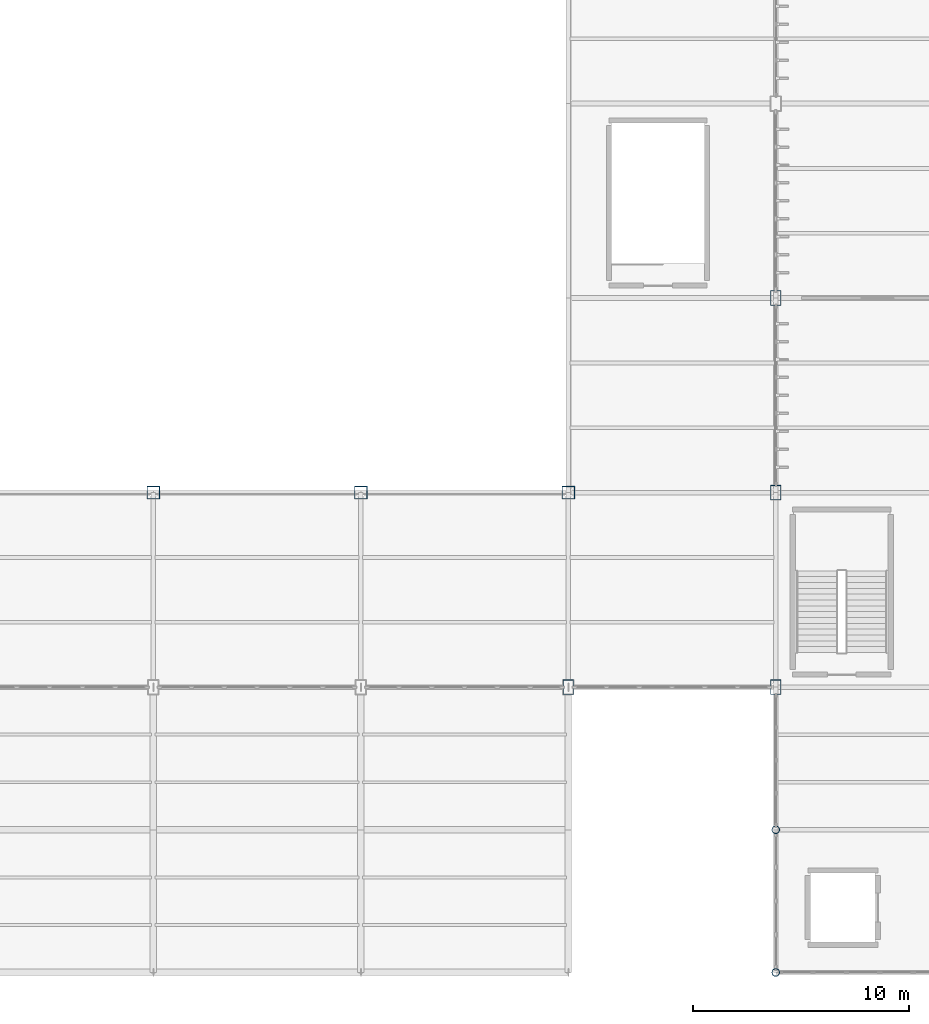
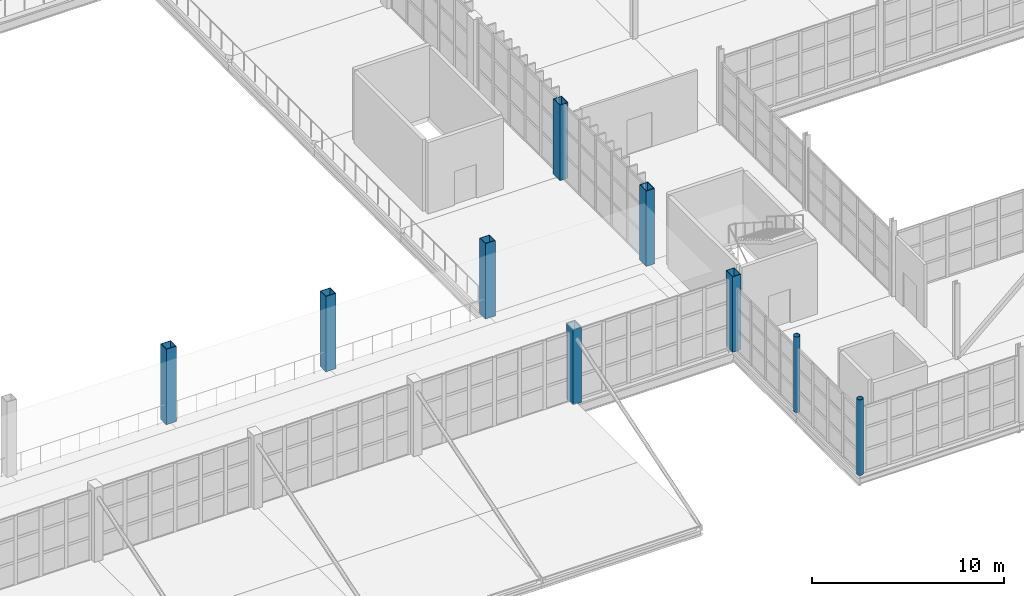
# One storey, part 6 of 120: 9 columns.
"""IFC4 building model written with IfcOpenShell, lengths in metres."""

from ifc_helpers import new_model, si_unit, direction, frame, origin, origin_2d, place, context, subcontext, project, spatial, hollow_rectangle, hollow_circle, extrude, material, material_profile, profile_set, type_object, element, save


model = new_model("IFC4")

# Units and contexts
model_context = context("Model", 3, precision=1e-05, world=origin(), true_north=direction((0.0, 1.0)))
body_context = subcontext(model_context, "Body", "Model", "MODEL_VIEW")
ifc_project = project(units=[si_unit("LENGTHUNIT", "METRE"), si_unit("AREAUNIT", "SQUARE_METRE"), si_unit("VOLUMEUNIT", "CUBIC_METRE"), si_unit("PLANEANGLEUNIT", "RADIAN"), si_unit("MASSUNIT", "GRAM", prefix="KILO")], contexts=[model_context])

# Site, building, storey
site_placement = place(None, origin())
site = spatial("IfcSite", under=ifc_project, at=site_placement, CompositionType="ELEMENT")
building_placement = place(site_placement, origin())
building = spatial("IfcBuilding", under=site, at=building_placement, Name="Zarnetskaya Central Station", CompositionType="ELEMENT")
storey_placement = place(building_placement, frame((0.0, 0.0, 5.39990234375)))
storey = spatial("IfcBuildingStorey", under=building, at=storey_placement, Name="L01", CompositionType="ELEMENT", Elevation=5.39990234375)

# Columns
ifc_material = material(Name="Steel S355", Category="steel")
ifc_material_profile_1 = material_profile(ifc_material, hollow_rectangle(XDim=0.5, YDim=0.699951171875, WallThickness=0.031982421875, at=origin_2d()), Name="BOX 700x500x32")
ifc_profile_set_1 = profile_set([ifc_material_profile_1], Name="Steel S355")
column_type_1 = type_object("IfcColumnType", Name="COL-V2-HALL", PredefinedType="COLUMN", material=ifc_profile_set_1)
column_placement = place(storey_placement, frame((115.199951171875, 13.199951171875, 0.0), z_axis=(0.0, 0.0, 1.0), x_axis=(1.0, 0.0, 0.0)))
element("IfcColumn", 1, at=column_placement, inside=storey, type_object=column_type_1, Name="Column N3 L01", PredefinedType="COLUMN", context=body_context, shape_type="SweptSolid", body=[
    extrude(hollow_rectangle(XDim=0.5, YDim=0.699951171875, WallThickness=0.031982421875, at=origin_2d()), origin(), (0.0, 0.0, 1.0), 4.7880859375),
])
for number, where, z_axis, x_axis, name in (
    (2, (124.800048828125, 13.199951171875, 0.0), (0.0, 0.0, 1.0), (1.0, 0.0, 0.0), "Column P3 L01"),
    (3, (124.800048828125, 22.199951171875, 0.0), (0.0, 0.0, 1.0), (1.0, 0.0, 0.0), "Column P4 L01"),
    (4, (124.800048828125, 31.199951171875, 0.0), (0.0, 0.0, 1.0), (1.0, 0.0, 0.0), "Column P5 L01"),
):
    element("IfcColumn", number, at=place(storey_placement, frame(where, z_axis=z_axis, x_axis=x_axis)), inside=storey, type_object=column_type_1, Name=name, PredefinedType="COLUMN", context=body_context, shape_type="SweptSolid", body=[
        extrude(hollow_rectangle(XDim=0.5, YDim=0.699951171875, WallThickness=0.031982421875, at=origin_2d()), origin(), (0.0, 0.0, 1.0), 4.800048828125),
    ])
ifc_material_profile_2 = material_profile(ifc_material, hollow_rectangle(XDim=0.60009765625, YDim=0.60009765625, WallThickness=0.030029296875, at=origin_2d()), Name="BOX 600x600x30")
ifc_profile_set_2 = profile_set([ifc_material_profile_2], Name="Steel S355")
column_type_2 = type_object("IfcColumnType", Name="COL-V2-INT", PredefinedType="COLUMN", material=ifc_profile_set_2)
for number, where, z_axis, x_axis, name in (
    (5, (96.0, 22.199951171875, 0.0), (0.0, 0.0, 1.0), (1.0, 0.0, 0.0), "Column L4 L01"),
    (6, (105.60009765625, 22.199951171875, 0.0), (0.0, 0.0, 1.0), (1.0, 0.0, 0.0), "Column M4 L01"),
    (7, (115.199951171875, 22.199951171875, 0.0), (0.0, 0.0, 1.0), (1.0, 0.0, 0.0), "Column N4 L01"),
):
    element("IfcColumn", number, at=place(storey_placement, frame(where, z_axis=z_axis, x_axis=x_axis)), inside=storey, type_object=column_type_2, Name=name, PredefinedType="COLUMN", context=body_context, shape_type="SweptSolid", body=[
        extrude(hollow_rectangle(XDim=0.60009765625, YDim=0.60009765625, WallThickness=0.030029296875, at=origin_2d()), origin(), (0.0, 0.0, 1.0), 4.800048828125),
    ])
ifc_material_profile_3 = material_profile(ifc_material, hollow_circle(Radius=0.177734375, WallThickness=0.01611328125, at=origin_2d()), Name="CHS 355.6x16")
ifc_profile_set_3 = profile_set([ifc_material_profile_3], Name="Steel S355")
column_type_3 = type_object("IfcColumnType", Name="COL-V3-FCAN", PredefinedType="COLUMN", material=ifc_profile_set_3)
for number, where, z_axis, x_axis, name in (
    (8, (124.800048828125, 0.0, 0.0), (0.0, 0.0, 1.0), (1.0, 0.0, 0.0), "Column P1 L01"),
    (9, (124.800048828125, 6.60009765625, 0.0), (0.0, 0.0, 1.0), (1.0, 0.0, 0.0), "Column P2 L01"),
):
    element("IfcColumn", number, at=place(storey_placement, frame(where, z_axis=z_axis, x_axis=x_axis)), inside=storey, type_object=column_type_3, Name=name, PredefinedType="COLUMN", context=body_context, shape_type="SweptSolid", body=[
        extrude(hollow_circle(Radius=0.177734375, WallThickness=0.01611328125, at=origin_2d()), origin(), (0.0, 0.0, 1.0), 4.800048828125),
    ])

save(model, "model.ifc")
